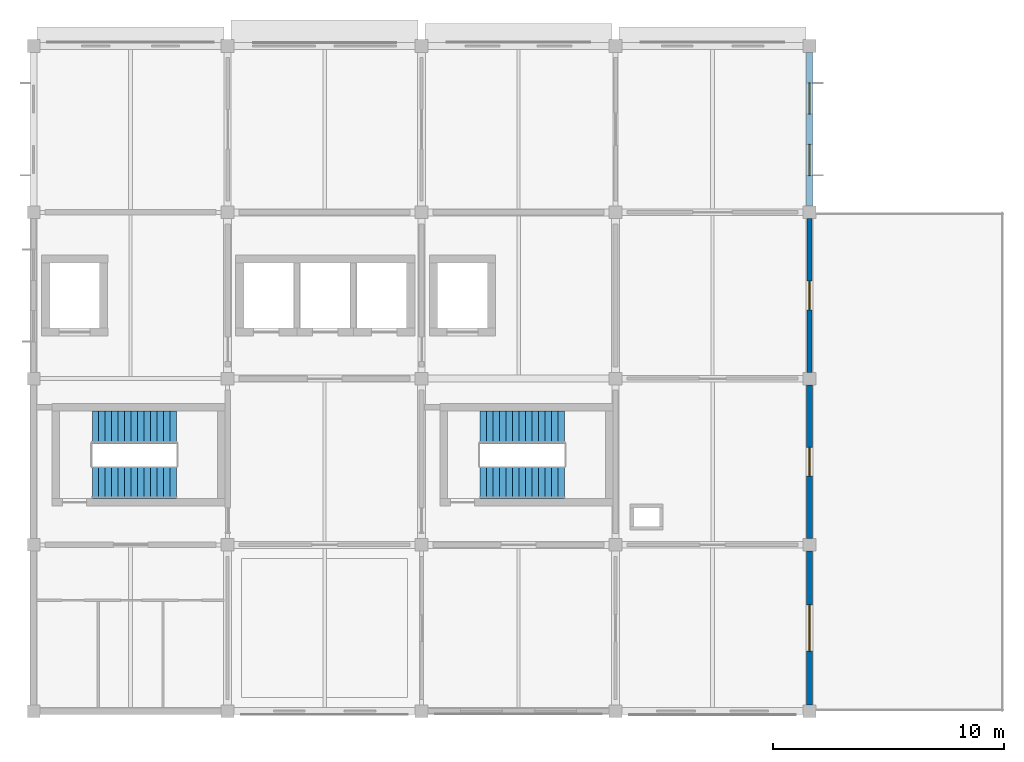
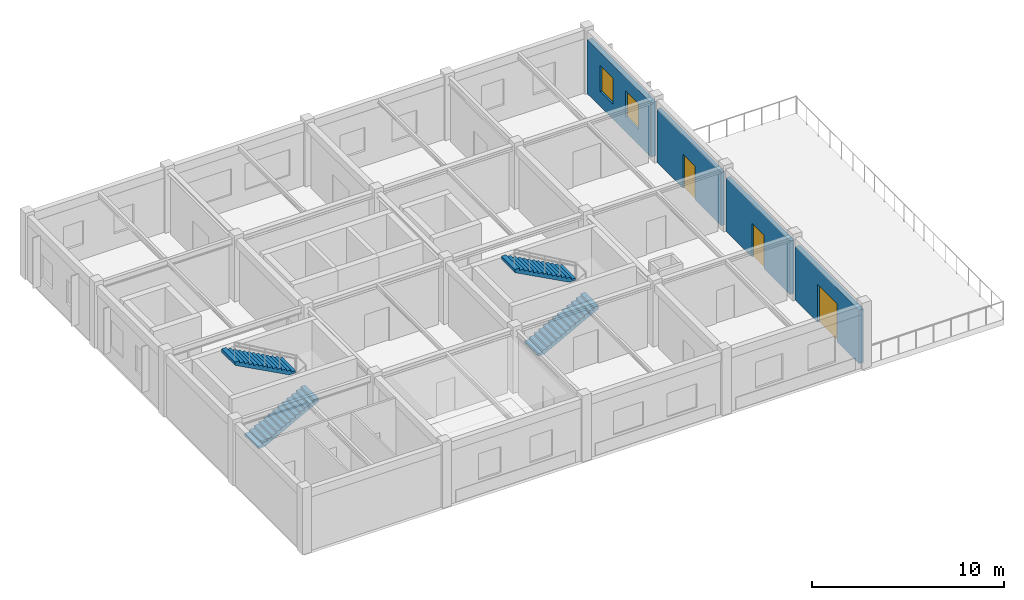
# One storey, part 5 of 6: 4 stair flights, 4 walls, 3 doors, 2 windows, 5 openings, 2 elements without a shape of their own.
"""IFC4 building model written with IfcOpenShell, lengths in metres."""

from ifc_helpers import new_model, si_unit, derived_unit, direction, frame, frame_2d, origin, place, context, subcontext, project, spatial, polyline, rectangle, outline, extrude, material, layer, layer_set, type_object, element, fill, aggregate, save


model = new_model("IFC4")

# Units and contexts
model_context = context("Model", 3, precision=1e-05, world=origin(), true_north=direction((0.0, 1.0)))
body_context = subcontext(model_context, "Body", "Model", "MODEL_VIEW")
ifc_project = project(units=[si_unit("LENGTHUNIT", "METRE"), si_unit("AREAUNIT", "SQUARE_METRE"), si_unit("VOLUMEUNIT", "CUBIC_METRE"), si_unit("PLANEANGLEUNIT", "RADIAN"), si_unit("MASSUNIT", "GRAM", prefix="KILO"), derived_unit("THERMALTRANSMITTANCEUNIT", [(si_unit("MASSUNIT", "GRAM", prefix="KILO"), 1), (si_unit("TIMEUNIT", "SECOND"), -3), (si_unit("THERMODYNAMICTEMPERATUREUNIT", "KELVIN"), -1)])], contexts=[model_context])

# Site, building, storey
site_placement = place(None, origin())
site = spatial("IfcSite", under=ifc_project, at=site_placement, CompositionType="ELEMENT")
building_placement = place(site_placement, origin())
building = spatial("IfcBuilding", under=site, at=building_placement, Name="Veldstrom Oceanarium and Marine Research Institute", CompositionType="ELEMENT")
storey_placement = place(building_placement, frame((0.0, 0.0, 60.60009765625)))
storey = spatial("IfcBuildingStorey", under=building, at=storey_placement, Name="L13", CompositionType="ELEMENT", Elevation=60.60009765625)

# Wall, openings, windows
ifc_material_1 = material(Name="Masonry Cavity Wall", Category="masonry")
ifc_layer_1 = layer(ifc_material_1, 0.2900390625)
ifc_layer_set_1 = layer_set([ifc_layer_1], Name="ARC-WAL-EW2")
wall_type_1 = type_object("IfcWallType", Name="ARC-WAL-EW2", PredefinedType="SOLIDWALL", material=ifc_layer_set_1)
wall_1_placement = place(storey_placement, frame((109.199951171875, 65.074951171875, 0.0), z_axis=(0.0, 0.0, 1.0), x_axis=(0.0, 1.0, 0.0)))
wall_1 = element("IfcWall", 1, at=wall_1_placement, inside=storey, type_object=wall_type_1, Name="Exterior Facade Wall EW2 L13-266", PredefinedType="SOLIDWALL", context=body_context, shape_type="SweptSolid", body=[
    extrude(rectangle(XDim=6.650146484375, YDim=0.2900390625, at=frame_2d((3.3251953125, 0.0))), origin(), (0.0, 0.0, 1.0), 3.44482421875),
])
opening_1_placement = place(wall_1_placement, frame((1.316650390625, 0.0, 0.949951171875)))
opening_1 = element("IfcOpeningElement", 2, at=opening_1_placement, cuts=wall_1, Name="Opening W24", PredefinedType="OPENING", context=body_context, shape_type="SweptSolid", body=[
    extrude(rectangle(XDim=1.35009765625, YDim=1.64990234375, at=frame_2d((0.675048828125, 0.824951171875))), frame((0.0, 0.155029296875, 0.0), z_axis=(0.0, -1.0, 0.0), x_axis=(1.0, 0.0, 0.0)), (0.0, 0.0, 1.0), 0.31005859375),
])
opening_2_placement = place(wall_1_placement, frame((3.9833984375, 0.0, 0.949951171875)))
opening_2 = element("IfcOpeningElement", 3, at=opening_2_placement, cuts=wall_1, Name="Opening W24", PredefinedType="OPENING", context=body_context, shape_type="SweptSolid", body=[
    extrude(rectangle(XDim=1.35009765625, YDim=1.64990234375, at=frame_2d((0.675048828125, 0.824951171875))), frame((0.0, 0.155029296875, 0.0), z_axis=(0.0, -1.0, 0.0), x_axis=(1.0, 0.0, 0.0)), (0.0, 0.0, 1.0), 0.31005859375),
])
ifc_material_2 = material(Name="Double Glazed Low-E IGU", Category="glass")
window_type = type_object("IfcWindowType", Name="ARC-WIN-W24", PartitioningType="SINGLE_PANEL", PredefinedType="WINDOW", material=ifc_material_2)
window_1_placement = place(opening_1_placement, origin())
window_1 = element("IfcWindow", 4, at=window_1_placement, inside=storey, type_object=window_type, Name="Facade Window W24 L13-0257", OverallHeight=1.64990234375, OverallWidth=1.35009765625, PartitioningType="SINGLE_PANEL", PredefinedType="WINDOW", context=body_context, shape_type="SweptSolid", body=[
    extrude(rectangle(XDim=1.35009765625, YDim=1.64990234375, at=frame_2d((0.675048828125, 0.824951171875))), frame((0.0, 0.030029296875, 0.0), z_axis=(0.0, -1.0, 0.0), x_axis=(1.0, 0.0, 0.0)), (0.0, 0.0, 1.0), 0.06005859375),
])
fill(opening_1, window_1)
window_2_placement = place(opening_2_placement, origin())
window_2 = element("IfcWindow", 5, at=window_2_placement, inside=storey, type_object=window_type, Name="Facade Window W24 L13-0258", OverallHeight=1.64990234375, OverallWidth=1.35009765625, PartitioningType="SINGLE_PANEL", PredefinedType="WINDOW", context=body_context, shape_type="SweptSolid", body=[
    extrude(rectangle(XDim=1.35009765625, YDim=1.64990234375, at=frame_2d((0.675048828125, 0.824951171875))), frame((0.0, 0.030029296875, 0.0), z_axis=(0.0, -1.0, 0.0), x_axis=(1.0, 0.0, 0.0)), (0.0, 0.0, 1.0), 0.06005859375),
])
fill(opening_2, window_2)

# Wall, opening, door
ifc_material_3 = material(Name="Masonry Cavity Wall", Category="masonry")
ifc_layer_2 = layer(ifc_material_3, 0.27001953125)
ifc_layer_set_2 = layer_set([ifc_layer_2], Name="ARC-WAL-EW3")
wall_type_2 = type_object("IfcWallType", Name="ARC-WAL-EW3", PredefinedType="SOLIDWALL", material=ifc_layer_set_2)
wall_2_placement = place(storey_placement, frame((109.199951171875, 43.47509765625, 0.0), z_axis=(0.0, 0.0, 1.0), x_axis=(0.0, 1.0, 0.0)))
wall_2 = element("IfcWall", 6, at=wall_2_placement, inside=storey, type_object=wall_type_2, Name="Exterior Facade Wall EW3 L13-262", PredefinedType="SOLIDWALL", context=body_context, shape_type="SweptSolid", body=[
    extrude(rectangle(XDim=6.64990234375, YDim=0.27001953125, at=frame_2d((3.324951171875, 0.0))), origin(), (0.0, 0.0, 1.0), 3.39501953125),
])
opening_3_placement = place(wall_2_placement, frame((2.324951171875, 0.0, 0.0)))
opening_3 = element("IfcOpeningElement", 7, at=opening_3_placement, cuts=wall_2, Name="Opening D-L13-021", PredefinedType="OPENING", context=body_context, shape_type="SweptSolid", body=[
    extrude(rectangle(XDim=2.0, YDim=2.39990234375, at=frame_2d((1.0, 1.199951171875))), frame((0.0, 0.14501953125, 0.0), z_axis=(0.0, -1.0, 0.0), x_axis=(1.0, 0.0, 0.0)), (0.0, 0.0, 1.0), 0.2900390625),
])
ifc_material_4 = material(Name="Anodised Aluminium Glazed Door", Category="aluminium")
door_type_1 = type_object("IfcDoorType", Name="ARC-DOR-ED1", OperationType="DOUBLE_DOOR_SINGLE_SWING", PredefinedType="DOOR", material=ifc_material_4)
door_1_placement = place(opening_3_placement, frame((2.0, 0.0, 0.0), z_axis=(0.0, 0.0, 1.0), x_axis=(-1.0, 0.0, 0.0)))
door_1 = element("IfcDoor", 8, at=door_1_placement, inside=storey, type_object=door_type_1, Name="Terrace Access Door D-L13-021", OperationType="DOUBLE_DOOR_SINGLE_SWING", OverallHeight=2.39990234375, OverallWidth=2.0, PredefinedType="DOOR", context=body_context, shape_type="SweptSolid", body=[
    extrude(rectangle(XDim=2.0, YDim=2.39990234375, at=frame_2d((1.0, 1.199951171875))), frame((0.0, 0.02490234375, 0.0), z_axis=(0.0, -1.0, 0.0), x_axis=(1.0, 0.0, 0.0)), (0.0, 0.0, 1.0), 0.050048828125),
])
fill(opening_3, door_1)

ifc_material_5 = material(Name="Masonry Cavity Wall", Category="masonry")
ifc_layer_3 = layer(ifc_material_5, 0.25)
ifc_layer_set_3 = layer_set([ifc_layer_3], Name="ARC-WAL-EW5")
wall_type_3 = type_object("IfcWallType", Name="ARC-WAL-EW5", PredefinedType="SOLIDWALL", material=ifc_layer_set_3)
wall_3_placement = place(storey_placement, frame((109.199951171875, 50.675048828125, 0.0), z_axis=(0.0, 0.0, 1.0), x_axis=(0.0, 1.0, 0.0)))
wall_3 = element("IfcWall", 9, at=wall_3_placement, inside=storey, type_object=wall_type_3, Name="Exterior Facade Wall EW5 L13-263", PredefinedType="SOLIDWALL", context=body_context, shape_type="SweptSolid", body=[
    extrude(rectangle(XDim=6.64990234375, YDim=0.25, at=frame_2d((3.324951171875, 0.0))), origin(), (0.0, 0.0, 1.0), 3.39501953125),
])
opening_4_placement = place(wall_3_placement, frame((2.699951171875, 0.0, 0.0)))
opening_4 = element("IfcOpeningElement", 10, at=opening_4_placement, cuts=wall_3, Name="Opening D-L13-022", PredefinedType="OPENING", context=body_context, shape_type="SweptSolid", body=[
    extrude(rectangle(XDim=1.25, YDim=2.14990234375, at=frame_2d((0.625, 1.074951171875))), frame((0.0, 0.135009765625, 0.0), z_axis=(0.0, -1.0, 0.0), x_axis=(1.0, 0.0, 0.0)), (0.0, 0.0, 1.0), 0.27001953125),
])
ifc_material_6 = material(Name="Anodised Aluminium Terrace Door", Category="aluminium")
door_type_2 = type_object("IfcDoorType", Name="ARC-DOR-ED4", OperationType="SINGLE_SWING_LEFT", PredefinedType="DOOR", material=ifc_material_6)
door_2_placement = place(opening_4_placement, frame((1.25, 0.0, 0.0), z_axis=(0.0, 0.0, 1.0), x_axis=(-1.0, 0.0, 0.0)))
door_2 = element("IfcDoor", 11, at=door_2_placement, inside=storey, type_object=door_type_2, Name="Terrace Access Door D-L13-022", OperationType="SINGLE_SWING_RIGHT", OverallHeight=2.14990234375, OverallWidth=1.25, PredefinedType="DOOR", context=body_context, shape_type="SweptSolid", body=[
    extrude(rectangle(XDim=1.25, YDim=2.14990234375, at=frame_2d((0.625, 1.074951171875))), frame((0.0, 0.02490234375, 0.0), z_axis=(0.0, -1.0, 0.0), x_axis=(1.0, 0.0, 0.0)), (0.0, 0.0, 1.0), 0.050048828125),
])
fill(opening_4, door_2)

ifc_material_7 = material(Name="Masonry Cavity Wall", Category="masonry")
ifc_layer_4 = layer(ifc_material_7, 0.215087890625)
ifc_layer_set_4 = layer_set([ifc_layer_4], Name="ARC-WAL-EW6")
wall_type_4 = type_object("IfcWallType", Name="ARC-WAL-EW6", PredefinedType="SOLIDWALL", material=ifc_layer_set_4)
wall_4_placement = place(storey_placement, frame((109.199951171875, 57.875, 0.0), z_axis=(0.0, 0.0, 1.0), x_axis=(0.0, 1.0, 0.0)))
wall_4 = element("IfcWall", 12, at=wall_4_placement, inside=storey, type_object=wall_type_4, Name="Exterior Facade Wall EW6 L13-264", PredefinedType="SOLIDWALL", context=body_context, shape_type="SweptSolid", body=[
    extrude(rectangle(XDim=6.64990234375, YDim=0.215087890625, at=frame_2d((3.324951171875, 0.0))), origin(), (0.0, 0.0, 1.0), 3.39501953125),
])
opening_5_placement = place(wall_4_placement, frame((2.699951171875, 0.0, 0.0)))
opening_5 = element("IfcOpeningElement", 13, at=opening_5_placement, cuts=wall_4, Name="Opening D-L13-023", PredefinedType="OPENING", context=body_context, shape_type="SweptSolid", body=[
    extrude(rectangle(XDim=1.25, YDim=2.14990234375, at=frame_2d((0.625, 1.074951171875))), frame((0.0, 0.117431640625, 0.0), z_axis=(0.0, -1.0, 0.0), x_axis=(1.0, 0.0, 0.0)), (0.0, 0.0, 1.0), 0.235107421875),
])
door_3_placement = place(opening_5_placement, frame((1.25, 0.0, 0.0), z_axis=(0.0, 0.0, 1.0), x_axis=(-1.0, 0.0, 0.0)))
door_3 = element("IfcDoor", 14, at=door_3_placement, inside=storey, type_object=door_type_2, Name="Terrace Access Door D-L13-023", OperationType="SINGLE_SWING_RIGHT", OverallHeight=2.14990234375, OverallWidth=1.25, PredefinedType="DOOR", context=body_context, shape_type="SweptSolid", body=[
    extrude(rectangle(XDim=1.25, YDim=2.14990234375, at=frame_2d((0.625, 1.074951171875))), frame((0.0, 0.02490234375, 0.0), z_axis=(0.0, -1.0, 0.0), x_axis=(1.0, 0.0, 0.0)), (0.0, 0.0, 1.0), 0.050048828125),
])
fill(opening_5, door_3)

# Stair, stair flights
ifc_material_8 = material(Name="Concrete C40/50", Category="concrete")
stair_type = type_object("IfcStairType", Name="ARC-STR-ST-420", PredefinedType="TWO_STRAIGHT_RUN_STAIR", material=ifc_material_8)
stair_1_placement = place(storey_placement, origin())
stair_1 = element("IfcStair", 15, at=stair_1_placement, inside=storey, type_object=stair_type, Name="Dog-Leg Escape Stair ST1-L13", PredefinedType="TWO_STRAIGHT_RUN_STAIR")
ifc_material_9 = material(Name="Concrete C40/50", Category="concrete")
stair_flight_type = type_object("IfcStairFlightType", Name="ARC-STF-ST-420", PredefinedType="STRAIGHT", material=ifc_material_9)
stair_flight_1_placement = place(storey_placement, frame((78.139892578125, 53.10009765625, 0.0), z_axis=(0.0, 0.0, 1.0), x_axis=(1.0, 0.0, 0.0)))
stair_flight_1 = element("IfcStairFlight", 16, at=stair_flight_1_placement, type_object=stair_flight_type, Name="Stair Flight ST1-L13-1", NumberOfRisers=14, NumberOfTreads=13, PredefinedType="STRAIGHT", RiserHeight=0.15, TreadLength=0.28, context=body_context, shape_type="SweptSolid", body=[
    extrude(outline(polyline([(0.0, 0.0), (0.0, 0.14990234375), (0.280029296875, 0.14990234375), (0.280029296875, 0.300048828125), (0.56005859375, 0.300048828125), (0.56005859375, 0.449951171875), (0.840087890625, 0.449951171875), (0.840087890625, 0.60009765625), (1.1201171875, 0.60009765625), (1.1201171875, 0.75), (1.39990234375, 0.75), (1.39990234375, 0.89990234375), (1.679931640625, 0.89990234375), (1.679931640625, 1.050048828125), (1.9599609375, 1.050048828125), (1.9599609375, 1.199951171875), (2.239990234375, 1.199951171875), (2.239990234375, 1.35009765625), (2.52001953125, 1.35009765625), (2.52001953125, 1.5), (2.800048828125, 1.5), (2.800048828125, 1.64990234375), (3.080078125, 1.64990234375), (3.080078125, 1.800048828125), (3.360107421875, 1.800048828125), (3.360107421875, 1.949951171875), (3.639892578125, 1.949951171875), (3.639892578125, 2.10009765625), (3.639892578125, 1.745849609375), (0.381103515625, 0.0), (0.0, 0.0)])), frame((0.0, 0.699951171875, 0.0), z_axis=(0.0, -1.0, 0.0), x_axis=(1.0, 0.0, 0.0)), (0.0, 0.0, 1.0), 1.39990234375),
])
stair_flight_2_placement = place(storey_placement, frame((81.780029296875, 55.5, 2.099853515625), z_axis=(0.0, 0.0, 1.0), x_axis=(-1.0, 0.0, 0.0)))
stair_flight_2 = element("IfcStairFlight", 17, at=stair_flight_2_placement, type_object=stair_flight_type, Name="Stair Flight ST1-L13-2", NumberOfRisers=14, NumberOfTreads=13, PredefinedType="STRAIGHT", RiserHeight=0.15, TreadLength=0.28, context=body_context, shape_type="SweptSolid", body=[
    extrude(outline(polyline([(0.0, 0.0), (0.0, 0.14990234375), (0.280029296875, 0.14990234375), (0.280029296875, 0.300048828125), (0.56005859375, 0.300048828125), (0.56005859375, 0.449951171875), (0.840087890625, 0.449951171875), (0.840087890625, 0.60009765625), (1.1201171875, 0.60009765625), (1.1201171875, 0.75), (1.39990234375, 0.75), (1.39990234375, 0.89990234375), (1.679931640625, 0.89990234375), (1.679931640625, 1.050048828125), (1.9599609375, 1.050048828125), (1.9599609375, 1.199951171875), (2.239990234375, 1.199951171875), (2.239990234375, 1.35009765625), (2.52001953125, 1.35009765625), (2.52001953125, 1.5), (2.800048828125, 1.5), (2.800048828125, 1.64990234375), (3.080078125, 1.64990234375), (3.080078125, 1.800048828125), (3.360107421875, 1.800048828125), (3.360107421875, 1.949951171875), (3.639892578125, 1.949951171875), (3.639892578125, 2.10009765625), (3.639892578125, 1.745849609375), (0.381103515625, 0.0), (0.0, 0.0)])), frame((0.0, 0.699951171875, 0.0), z_axis=(0.0, -1.0, 0.0), x_axis=(1.0, 0.0, 0.0)), (0.0, 0.0, 1.0), 1.39990234375),
])
aggregate(stair_1, [stair_flight_1, stair_flight_2])

stair_2_placement = place(storey_placement, origin())
stair_2 = element("IfcStair", 18, at=stair_2_placement, inside=storey, type_object=stair_type, Name="Dog-Leg Escape Stair ST2-L13", PredefinedType="TWO_STRAIGHT_RUN_STAIR")
stair_flight_3_placement = place(storey_placement, frame((94.93994140625, 53.10009765625, 0.0), z_axis=(0.0, 0.0, 1.0), x_axis=(1.0, 0.0, 0.0)))
stair_flight_3 = element("IfcStairFlight", 19, at=stair_flight_3_placement, type_object=stair_flight_type, Name="Stair Flight ST2-L13-1", NumberOfRisers=14, NumberOfTreads=13, PredefinedType="STRAIGHT", RiserHeight=0.15, TreadLength=0.28, context=body_context, shape_type="SweptSolid", body=[
    extrude(outline(polyline([(0.0, 0.0), (0.0, 0.14990234375), (0.280029296875, 0.14990234375), (0.280029296875, 0.300048828125), (0.56005859375, 0.300048828125), (0.56005859375, 0.449951171875), (0.840087890625, 0.449951171875), (0.840087890625, 0.60009765625), (1.1201171875, 0.60009765625), (1.1201171875, 0.75), (1.39990234375, 0.75), (1.39990234375, 0.89990234375), (1.679931640625, 0.89990234375), (1.679931640625, 1.050048828125), (1.9599609375, 1.050048828125), (1.9599609375, 1.199951171875), (2.239990234375, 1.199951171875), (2.239990234375, 1.35009765625), (2.52001953125, 1.35009765625), (2.52001953125, 1.5), (2.800048828125, 1.5), (2.800048828125, 1.64990234375), (3.080078125, 1.64990234375), (3.080078125, 1.800048828125), (3.360107421875, 1.800048828125), (3.360107421875, 1.949951171875), (3.639892578125, 1.949951171875), (3.639892578125, 2.10009765625), (3.639892578125, 1.745849609375), (0.381103515625, 0.0), (0.0, 0.0)])), frame((0.0, 0.699951171875, 0.0), z_axis=(0.0, -1.0, 0.0), x_axis=(1.0, 0.0, 0.0)), (0.0, 0.0, 1.0), 1.39990234375),
])
stair_flight_4_placement = place(storey_placement, frame((98.580078125, 55.5, 2.099853515625), z_axis=(0.0, 0.0, 1.0), x_axis=(-1.0, 0.0, 0.0)))
stair_flight_4 = element("IfcStairFlight", 20, at=stair_flight_4_placement, type_object=stair_flight_type, Name="Stair Flight ST2-L13-2", NumberOfRisers=14, NumberOfTreads=13, PredefinedType="STRAIGHT", RiserHeight=0.15, TreadLength=0.28, context=body_context, shape_type="SweptSolid", body=[
    extrude(outline(polyline([(0.0, 0.0), (0.0, 0.14990234375), (0.280029296875, 0.14990234375), (0.280029296875, 0.300048828125), (0.56005859375, 0.300048828125), (0.56005859375, 0.449951171875), (0.840087890625, 0.449951171875), (0.840087890625, 0.60009765625), (1.1201171875, 0.60009765625), (1.1201171875, 0.75), (1.39990234375, 0.75), (1.39990234375, 0.89990234375), (1.679931640625, 0.89990234375), (1.679931640625, 1.050048828125), (1.9599609375, 1.050048828125), (1.9599609375, 1.199951171875), (2.239990234375, 1.199951171875), (2.239990234375, 1.35009765625), (2.52001953125, 1.35009765625), (2.52001953125, 1.5), (2.800048828125, 1.5), (2.800048828125, 1.64990234375), (3.080078125, 1.64990234375), (3.080078125, 1.800048828125), (3.360107421875, 1.800048828125), (3.360107421875, 1.949951171875), (3.639892578125, 1.949951171875), (3.639892578125, 2.10009765625), (3.639892578125, 1.745849609375), (0.381103515625, 0.0), (0.0, 0.0)])), frame((0.0, 0.699951171875, 0.0), z_axis=(0.0, -1.0, 0.0), x_axis=(1.0, 0.0, 0.0)), (0.0, 0.0, 1.0), 1.39990234375),
])
aggregate(stair_2, [stair_flight_3, stair_flight_4])

save(model, "model.ifc")
